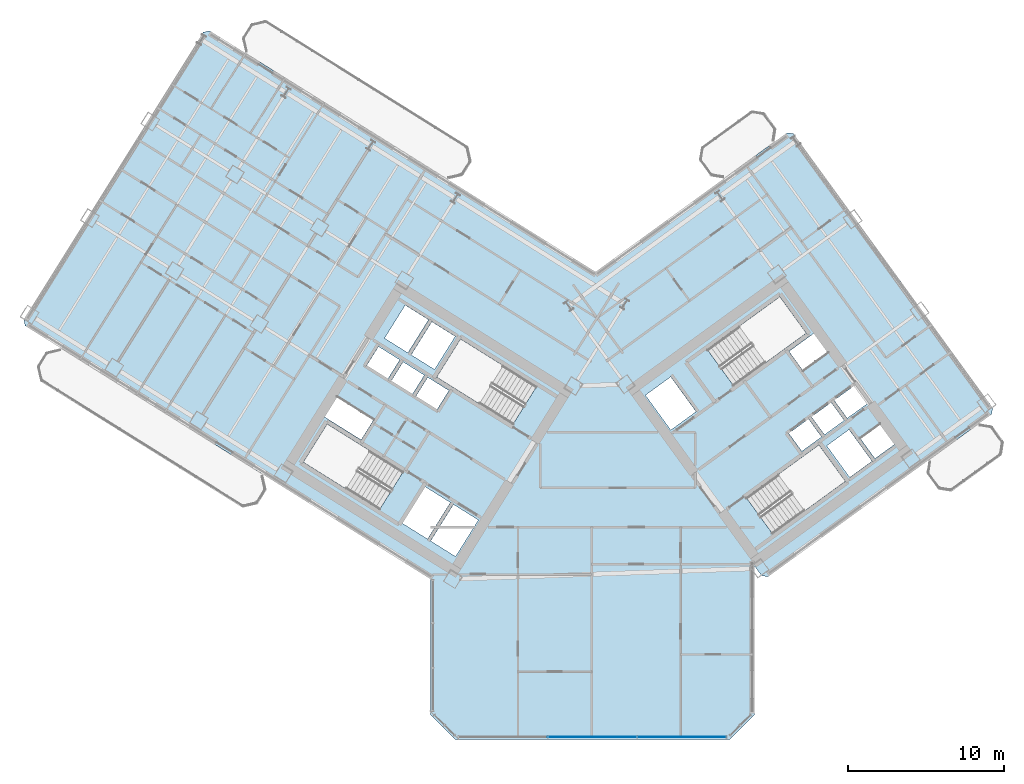
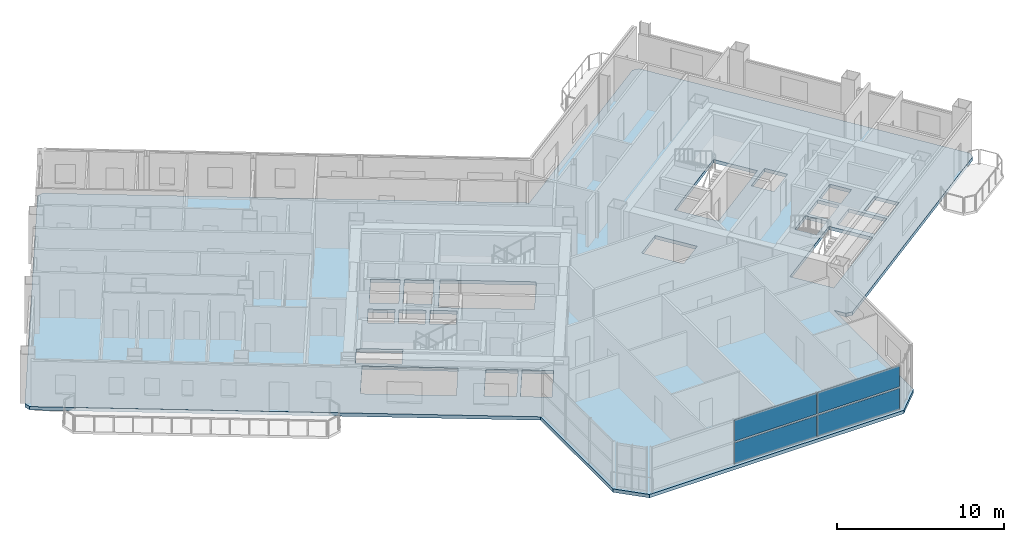
# One storey, part 9 of 22: 4 plates, 1 slab, 1 element without a shape of its own.
"""IFC4 building model written with IfcOpenShell, lengths in metres."""

from ifc_helpers import new_model, si_unit, direction, frame, origin, origin_2d, place, context, subcontext, project, spatial, polyline, rectangle, outline, extrude, source, transform, mapped, material, layer, layer_set, type_object, element, aggregate, save


model = new_model("IFC4")

# Units and contexts
model_context = context("Model", 3, precision=1e-05, world=origin(), true_north=direction((0.0, 1.0)))
body_context = subcontext(model_context, "Body", "Model", "MODEL_VIEW")
ifc_project = project(units=[si_unit("LENGTHUNIT", "METRE"), si_unit("AREAUNIT", "SQUARE_METRE"), si_unit("VOLUMEUNIT", "CUBIC_METRE"), si_unit("PLANEANGLEUNIT", "RADIAN"), si_unit("MASSUNIT", "GRAM", prefix="KILO")], contexts=[model_context])

# Site, building, storey
site_placement = place(None, origin())
site = spatial("IfcSite", under=ifc_project, at=site_placement, CompositionType="ELEMENT")
building_placement = place(site_placement, origin())
building = spatial("IfcBuilding", under=site, at=building_placement, Name="Tlacorven Tower", CompositionType="ELEMENT")
storey_placement = place(building_placement, frame((0.0, 0.0, 97.199951171875)))
storey = spatial("IfcBuildingStorey", under=building, at=storey_placement, Name="L24", CompositionType="ELEMENT", Elevation=97.199951171875)

# Slab
ifc_material_1 = material(Name="Concrete C40/50", Category="concrete")
ifc_layer_1 = layer(ifc_material_1, 0.25)
ifc_layer_set_1 = layer_set([ifc_layer_1], Name="Concrete C40/50")
slab_type = type_object("IfcSlabType", Name="SL-TWR-250", PredefinedType="FLOOR", material=ifc_layer_set_1)
slab_placement = place(storey_placement, frame((0.0, 0.0, -0.25)))
element("IfcSlab", 1, at=slab_placement, inside=storey, type_object=slab_type, Name="L24 Boomerang Tower Floor Slab", PredefinedType="FLOOR", context=body_context, shape_type="SweptSolid", body=[
    extrude(outline(polyline([(52.39990234375, 3.39990234375), (50.800048828125, 1.800048828125), (33.199951171875, 1.800048828125), (31.60009765625, 3.39990234375), (31.60009765625, 12.09423828125), (5.62451171875, 28.32568359375), (5.529052734375, 28.739013671875), (17.0390625, 47.15869140625), (17.452392578125, 47.254150390625), (42.19970703125, 31.790283203125), (54.481689453125, 40.713623046875), (54.90087890625, 40.647216796875), (67.66748046875, 23.075439453125), (67.60107421875, 22.656494140625), (53.265380859375, 12.24072265625), (52.846435546875, 12.30712890625), (52.39990234375, 12.921630859375), (52.39990234375, 3.39990234375)]), holes=[polyline([(29.865478515625, 18.979736328125), (24.9892578125, 22.02685546875), (23.463134765625, 19.58447265625), (28.33935546875, 16.537353515625), (29.865478515625, 18.979736328125)]), polyline([(38.4169921875, 24.4375), (33.540771484375, 27.484375), (32.0146484375, 25.0419921875), (36.890869140625, 21.9951171875), (38.4169921875, 24.4375)]), polyline([(51.05908203125, 24.481689453125), (55.7109375, 27.861572265625), (54.01806640625, 30.19140625), (49.3662109375, 26.811767578125), (51.05908203125, 24.481689453125)]), polyline([(53.56298828125, 14.978759765625), (58.21484375, 18.3583984375), (56.52197265625, 20.6884765625), (51.8701171875, 17.30859375), (53.56298828125, 14.978759765625)]), polyline([(34.682373046875, 15.87548828125), (33.088134765625, 16.871826171875), (31.62548828125, 14.531005859375), (33.2197265625, 13.534912109375), (34.682373046875, 15.87548828125)]), polyline([(32.884521484375, 16.9990234375), (31.2392578125, 18.02685546875), (29.77685546875, 15.686279296875), (31.421875, 14.658203125), (32.884521484375, 16.9990234375)]), polyline([(47.0234375, 21.648681640625), (48.6416015625, 22.82421875), (47.019287109375, 25.05712890625), (45.401123046875, 23.881591796875), (47.0234375, 21.648681640625)]), polyline([(33.197265625, 27.65185546875), (31.704833984375, 28.58447265625), (30.3798828125, 26.46435546875), (31.87255859375, 25.53173828125), (33.197265625, 27.65185546875)]), polyline([(31.484375, 28.722412109375), (29.99169921875, 29.655029296875), (28.6669921875, 27.534912109375), (30.159423828125, 26.602294921875), (31.484375, 28.722412109375)]), polyline([(32.794921875, 24.17724609375), (31.43798828125, 25.025146484375), (30.685546875, 23.82080078125), (32.042236328125, 22.972900390625), (32.794921875, 24.17724609375)]), polyline([(31.217529296875, 25.162841796875), (29.860595703125, 26.0107421875), (29.108154296875, 24.806396484375), (30.465087890625, 23.958740234375), (31.217529296875, 25.162841796875)]), polyline([(29.64013671875, 26.1484375), (28.283203125, 26.996337890625), (27.53076171875, 25.792236328125), (28.8876953125, 24.9443359375), (29.64013671875, 26.1484375)]), polyline([(55.427734375, 20.288818359375), (56.68994140625, 21.205810546875), (55.855224609375, 22.354736328125), (54.59326171875, 21.437744140625), (55.427734375, 20.288818359375)]), polyline([(56.884033203125, 21.346923828125), (58.146240234375, 22.263916015625), (57.3115234375, 23.41259765625), (56.04931640625, 22.495849609375), (56.884033203125, 21.346923828125)]), polyline([(58.34033203125, 22.405029296875), (59.602294921875, 23.322021484375), (58.767578125, 24.470703125), (57.505615234375, 23.5537109375), (58.34033203125, 22.405029296875)]), polyline([(58.498779296875, 18.614013671875), (59.922607421875, 19.648681640625), (58.453125, 21.671142578125), (57.029296875, 20.63671875), (58.498779296875, 18.614013671875)]), polyline([(27.96142578125, 22.2919921875), (25.603759765625, 23.76513671875), (24.80908203125, 22.4931640625), (27.16650390625, 21.02001953125), (27.96142578125, 22.2919921875)]), polyline([(55.490478515625, 25.4765625), (57.092529296875, 26.640380859375), (56.210693359375, 27.85400390625), (54.60888671875, 26.690185546875), (55.490478515625, 25.4765625)]), polyline([(60.12109375, 19.817626953125), (61.38330078125, 20.734619140625), (60.45458984375, 22.012939453125), (59.192626953125, 21.095947265625), (60.12109375, 19.817626953125)])]), origin(), (0.0, 0.0, 1.0), 0.25),
])

# Curtain wall, plates
ifc_material_2 = material(Name="Dark solar low-E double glazing in aluminium frame", Category="aluminium")
curtain_wall_type = type_object("IfcCurtainWallType", Name="CW-TWR-LOW", PredefinedType="USERDEFINED", material=ifc_material_2)
curtain_wall_placement = place(storey_placement, origin())
curtain_wall = element("IfcCurtainWall", 2, at=curtain_wall_placement, inside=storey, type_object=curtain_wall_type, Name="L24 CW-TWR-LOW Curtain Wall 124", ObjectType="UNITISED CURTAIN WALL", PredefinedType="USERDEFINED")
ifc_material_3 = material(Name="Dark solar double low-E glazing", Category="glass")
ifc_layer_2 = layer(ifc_material_3, 0.031982421875)
ifc_layer_set_2 = layer_set([ifc_layer_2], Name="Dark solar double low-E glazing")
plate_type = type_object("IfcPlateType", Name="CWP-02", PredefinedType="CURTAIN_PANEL", material=ifc_layer_set_2)
shared_shape_1 = source(origin(), body_context, "Body", "SweptSolid", [
    extrude(rectangle(XDim=5.668701171875, YDim=0.031982421875, at=origin_2d()), origin(), (0.0, 0.0, 1.0), 1.5380859375),
])
plate_1_placement = place(storey_placement, frame((47.73828125, 1.9599609375, 0.06103515625), z_axis=(0.0, 0.0, 1.0), x_axis=(-1.0, 0.0, 0.0)))
plate_1 = element("IfcPlate", 3, at=plate_1_placement, type_object=plate_type, Name="CW-L24-124 Glazing Panel 1", PredefinedType="CURTAIN_PANEL", context=body_context, shape_type="MappedRepresentation", body=[
    mapped(shared_shape_1, transform((0.0, 0.0, 0.0), scale=1.0)),
])
plate_2_placement = place(storey_placement, frame((47.73828125, 1.9599609375, 1.720947265625), z_axis=(0.0, 0.0, 1.0), x_axis=(-1.0, 0.0, 0.0)))
plate_2 = element("IfcPlate", 4, at=plate_2_placement, type_object=plate_type, Name="CW-L24-124 Glazing Panel 2", PredefinedType="CURTAIN_PANEL", context=body_context, shape_type="MappedRepresentation", body=[
    mapped(shared_shape_1, transform((0.0, 0.0, 0.0), scale=1.0)),
])
shared_shape_2 = source(origin(), body_context, "Body", "SweptSolid", [
    extrude(rectangle(XDim=5.703857421875, YDim=0.031982421875, at=origin_2d()), origin(), (0.0, 0.0, 1.0), 1.5380859375),
])
plate_3_placement = place(storey_placement, frame((42.0, 1.9599609375, 0.06103515625), z_axis=(0.0, 0.0, 1.0), x_axis=(-1.0, 0.0, 0.0)))
plate_3 = element("IfcPlate", 5, at=plate_3_placement, type_object=plate_type, Name="CW-L24-124 Glazing Panel 3", PredefinedType="CURTAIN_PANEL", context=body_context, shape_type="MappedRepresentation", body=[
    mapped(shared_shape_2, transform((0.0, 0.0, 0.0), scale=1.0)),
])
plate_4_placement = place(storey_placement, frame((42.0, 1.9599609375, 1.720947265625), z_axis=(0.0, 0.0, 1.0), x_axis=(-1.0, 0.0, 0.0)))
plate_4 = element("IfcPlate", 6, at=plate_4_placement, type_object=plate_type, Name="CW-L24-124 Glazing Panel 4", PredefinedType="CURTAIN_PANEL", context=body_context, shape_type="MappedRepresentation", body=[
    mapped(shared_shape_2, transform((0.0, 0.0, 0.0), scale=1.0)),
])
aggregate(curtain_wall, [plate_1, plate_2, plate_3, plate_4])

save(model, "model.ifc")
